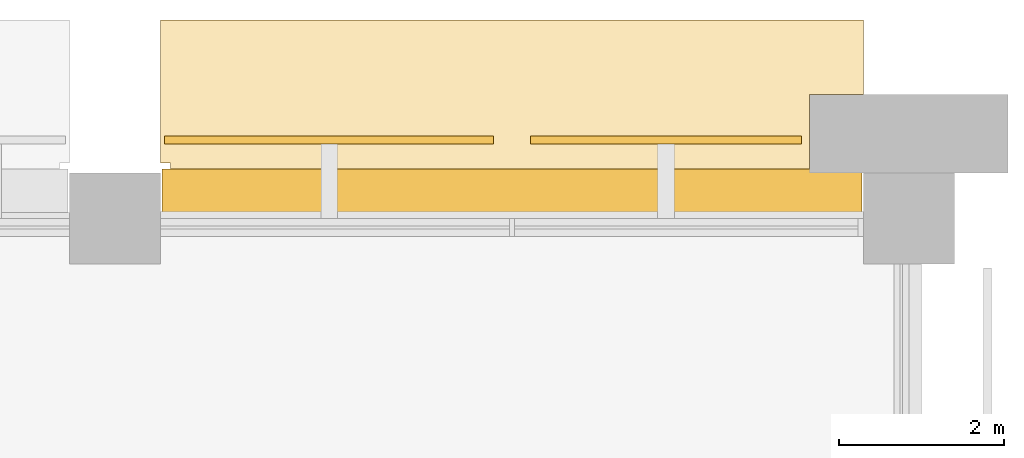
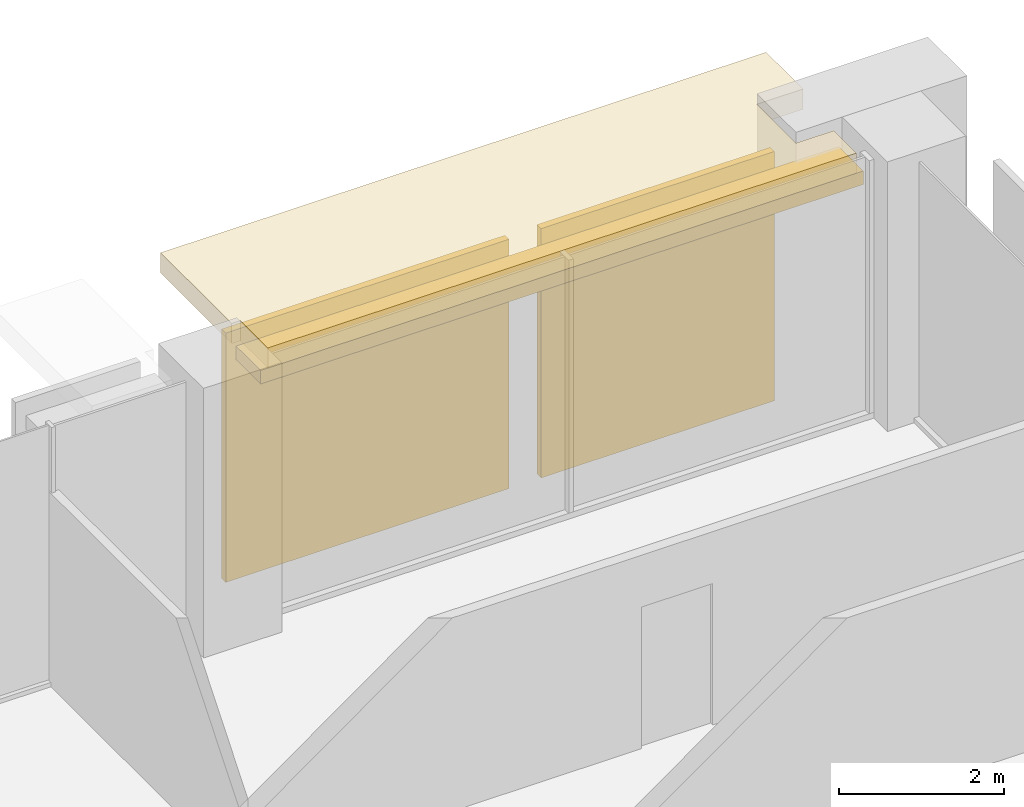
# One storey, part 14 of 14: 3 coverings, 1 shading device.
"""IFC4 building model written with IfcOpenShell, lengths in metres."""

from ifc_helpers import new_model, si_unit, direction, frame, origin, origin_2d, place, context, subcontext, project, spatial, polyline, rectangle, outline, extrude, material, layer, layer_set, type_object, element, save


model = new_model("IFC4")

# Units and contexts
model_context = context("Model", 3, precision=1e-05, world=origin(), true_north=direction((0.0, 1.0)))
body_context = subcontext(model_context, "Body", "Model", "MODEL_VIEW")
ifc_project = project(units=[si_unit("LENGTHUNIT", "METRE"), si_unit("AREAUNIT", "SQUARE_METRE"), si_unit("VOLUMEUNIT", "CUBIC_METRE"), si_unit("PLANEANGLEUNIT", "RADIAN"), si_unit("MASSUNIT", "GRAM", prefix="KILO")], contexts=[model_context])

# Site, building, storey
site_placement = place(None, origin())
site = spatial("IfcSite", under=ifc_project, at=site_placement, CompositionType="ELEMENT")
building_placement = place(site_placement, origin())
building = spatial("IfcBuilding", under=site, at=building_placement, Name="Baori Bourse Tower", CompositionType="ELEMENT")
storey_placement = place(building_placement, frame((0.0, 0.0, 257.199951171875)))
storey = spatial("IfcBuildingStorey", under=building, at=storey_placement, Name="L57", CompositionType="ELEMENT", Elevation=257.199951171875)

# Covering
ifc_material_1 = material(Name="Pale anodised aluminium", Category="aluminium")
covering_type_1 = type_object("IfcCoveringType", Name="BD1 Pale metal band", PredefinedType="CLADDING", material=ifc_material_1)
covering_1_placement = place(storey_placement, frame((0.0, 0.0, 3.5400390625)))
element("IfcCovering", 1, at=covering_1_placement, inside=storey, type_object=covering_type_1, Name="Pale projecting band L57 2", PredefinedType="CLADDING", context=body_context, shape_type="SweptSolid", body=[
    extrude(outline(polyline([(29.469970703125, 48.0), (37.72998046875, 48.0), (37.72998046875, 48.550048828125), (37.199951171875, 48.550048828125), (37.199951171875, 49.5), (37.85009765625, 49.5), (37.85009765625, 50.39990234375), (29.35009765625, 50.39990234375), (29.35009765625, 48.669921875), (29.469970703125, 48.669921875), (29.469970703125, 48.0)])), origin(), (0.0, 0.0, 1.0), 0.300048828125),
])

# Shading device
ifc_material_2 = material(Name="Concrete f'c 40 MPa", Category="concrete")
ifc_layer_1 = layer(ifc_material_2, 0.199951171875)
ifc_layer_set_1 = layer_set([ifc_layer_1], Name="BS1 Brise-soleil ledge")
shading_device_type = type_object("IfcShadingDeviceType", Name="BS1 Brise-soleil ledge", PredefinedType="USERDEFINED", material=ifc_layer_set_1)
shading_device_placement = place(storey_placement, frame((33.60009765625, 48.300048828125, 3.33984375), z_axis=(0.0, 0.0, 1.0), x_axis=(-1.0, 0.0, 0.0)))
element("IfcShadingDevice", 2, at=shading_device_placement, inside=storey, type_object=shading_device_type, Name="Brise-soleil ledge L57 1", ObjectType="BRISE SOLEIL", PredefinedType="USERDEFINED", context=body_context, shape_type="SweptSolid", body=[
    extrude(rectangle(XDim=8.4599609375, YDim=0.60009765625, at=origin_2d()), origin(), (0.0, 0.0, 1.0), 0.199951171875),
])

# Coverings
ifc_material_3 = material(Name="Pale anodised aluminium", Category="aluminium")
ifc_layer_2 = layer(ifc_material_3, 0.10009765625)
ifc_layer_set_2 = layer_set([ifc_layer_2], Name="OS3 Outer skin screen panel")
covering_type_2 = type_object("IfcCoveringType", Name="OS3 Outer skin screen panel", PredefinedType="CLADDING", material=ifc_layer_set_2)
covering_2_placement = place(storey_placement, frame((0.0, 0.0, -0.159912109375)))
element("IfcCovering", 3, at=covering_2_placement, inside=storey, type_object=covering_type_2, Name="Outer skin screen L57 3", PredefinedType="CLADDING", context=body_context, shape_type="SweptSolid", body=[
    extrude(outline(polyline([(33.824951171875, 48.89990234375), (37.10009765625, 48.89990234375), (37.10009765625, 49.0), (33.824951171875, 49.0), (33.824951171875, 48.89990234375)])), origin(), (0.0, 0.0, 1.0), 3.699951171875),
])
covering_3_placement = place(storey_placement, frame((0.0, 0.0, -0.159912109375)))
element("IfcCovering", 4, at=covering_3_placement, inside=storey, type_object=covering_type_2, Name="Outer skin screen L57 4", PredefinedType="CLADDING", context=body_context, shape_type="SweptSolid", body=[
    extrude(outline(polyline([(29.39990234375, 48.89990234375), (33.375, 48.89990234375), (33.375, 49.0), (29.39990234375, 49.0), (29.39990234375, 48.89990234375)])), origin(), (0.0, 0.0, 1.0), 3.699951171875),
])

save(model, "model.ifc")
